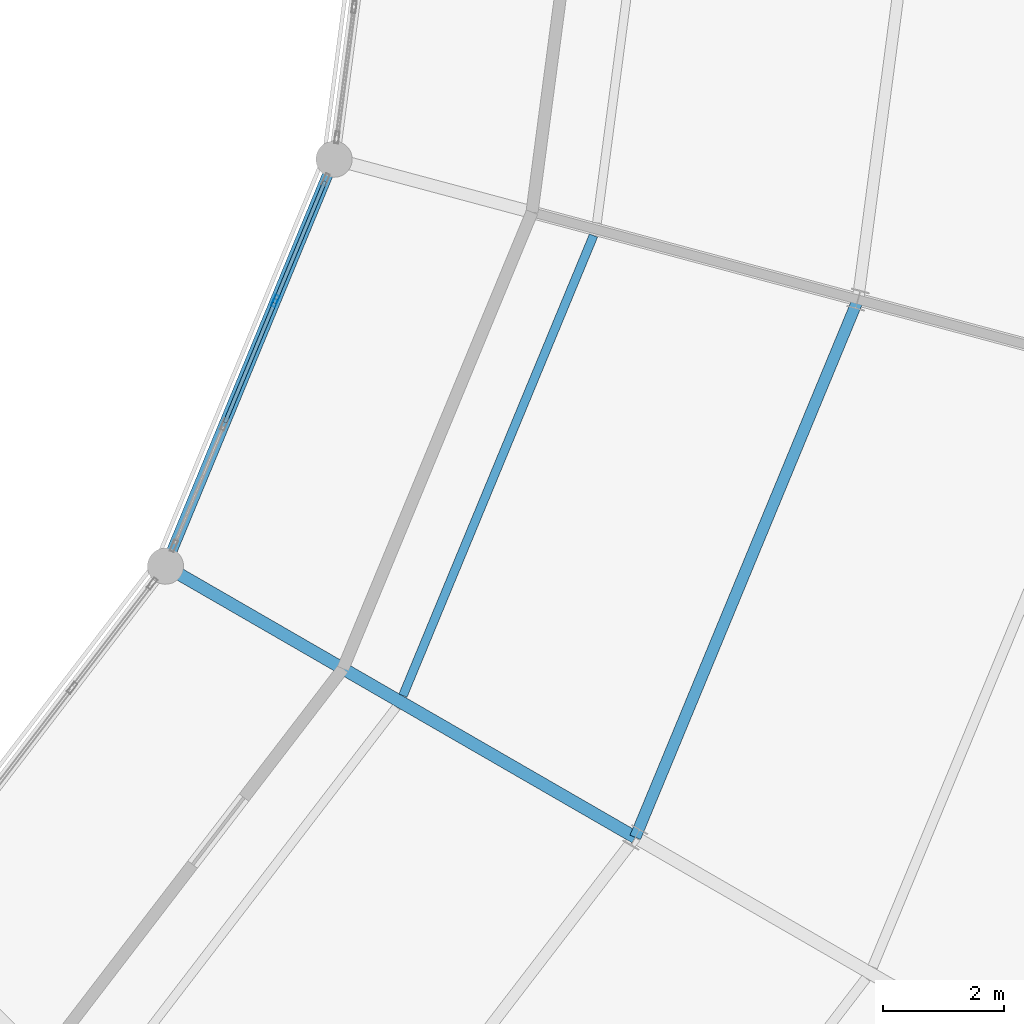
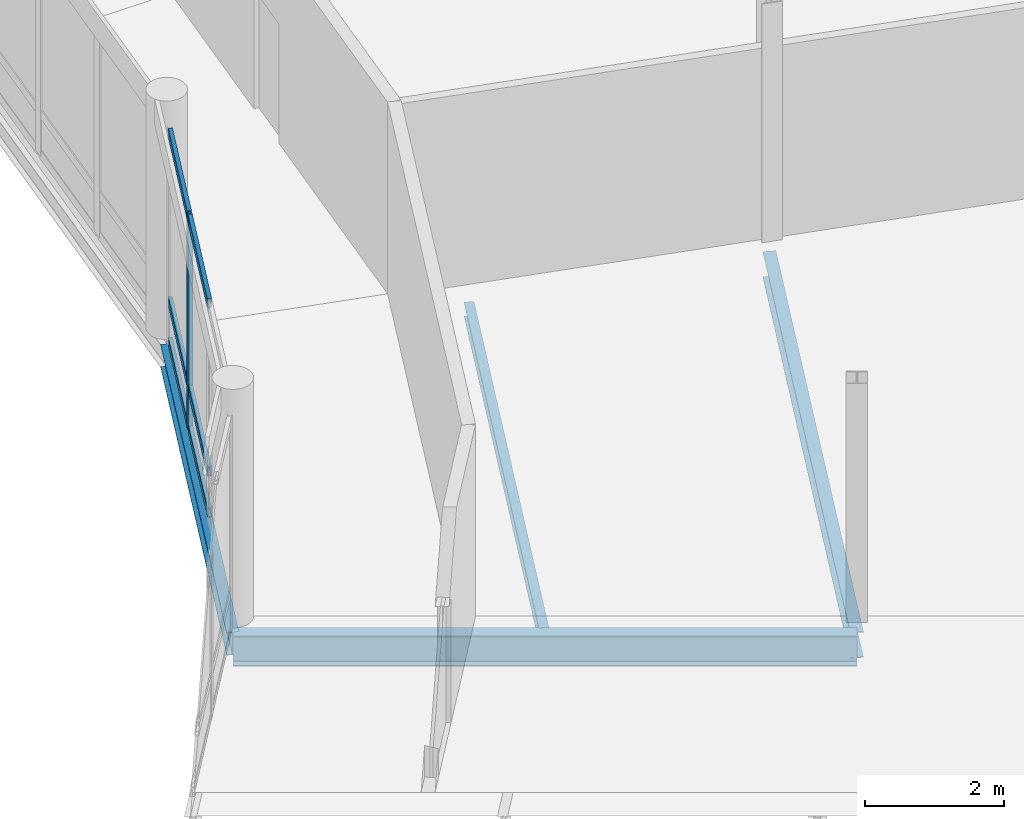
# One storey, part 98 of 170: 7 members, 4 beams, 1 element without a shape of its own.
"""IFC4 building model written with IfcOpenShell, lengths in metres."""

from ifc_helpers import new_model, si_unit, direction, frame, origin, origin_2d, place, context, subcontext, project, spatial, hollow_rectangle, i_section, extrude, material, material_profile, profile_set, type_object, element, aggregate, save


model = new_model("IFC4")

# Units and contexts
model_context = context("Model", 3, precision=1e-05, world=origin(), true_north=direction((0.0, 1.0)))
body_context = subcontext(model_context, "Body", "Model", "MODEL_VIEW")
ifc_project = project(units=[si_unit("LENGTHUNIT", "METRE"), si_unit("AREAUNIT", "SQUARE_METRE"), si_unit("VOLUMEUNIT", "CUBIC_METRE"), si_unit("PLANEANGLEUNIT", "RADIAN"), si_unit("MASSUNIT", "GRAM", prefix="KILO")], contexts=[model_context])

# Site, building, storey
site_placement = place(None, origin())
site = spatial("IfcSite", under=ifc_project, at=site_placement, CompositionType="ELEMENT")
building_placement = place(site_placement, origin())
building = spatial("IfcBuilding", under=site, at=building_placement, Name="Vondelvale Polytechnic", CompositionType="ELEMENT")
storey_placement = place(building_placement, frame((0.0, 0.0, 5.39990234375)))
storey = spatial("IfcBuildingStorey", under=building, at=storey_placement, Name="L01", CompositionType="ELEMENT", Elevation=5.39990234375)

# Beams
ifc_material_1 = material(Name="Steel 300PLUS (fy = 300 MPa)", Category="steel")
ifc_material_profile_1 = material_profile(ifc_material_1, i_section(OverallWidth=0.177978515625, OverallDepth=0.406005859375, WebThickness=0.0078125, FlangeThickness=0.0126953125, FilletRadius=0.011474609375, at=origin_2d()), Name="410UB59.7")
ifc_profile_set_1 = profile_set([ifc_material_profile_1], Name="Steel 300PLUS (fy = 300 MPa)")
beam_type_1 = type_object("IfcBeamType", Name="BM-UB410", PredefinedType="BEAM", material=ifc_profile_set_1)
beam_1_placement = place(storey_placement, frame((126.248779296875, 58.0, -0.48291015625), z_axis=(0.382667428841, 0.923886161226, 0.0), x_axis=(-0.923886161226, 0.382667428841, 0.0)))
element("IfcBeam", 1, at=beam_1_placement, inside=storey, type_object=beam_type_1, Name="L01 RB B-14", PredefinedType="BEAM", context=body_context, shape_type="SweptSolid", body=[
    extrude(i_section(OverallWidth=0.177978515625, OverallDepth=0.406005859375, WebThickness=0.0078125, FlangeThickness=0.0126953125, FilletRadius=0.011474609375, at=origin_2d()), origin(), (0.0, 0.0, 1.0), 7.3095703125),
])
ifc_material_profile_2 = material_profile(ifc_material_1, i_section(OverallWidth=0.19091796875, OverallDepth=0.4599609375, WebThickness=0.010009765625, FlangeThickness=0.01611328125, FilletRadius=0.011474609375, at=origin_2d()), Name="460UB82.1")
ifc_profile_set_2 = profile_set([ifc_material_profile_2], Name="Steel 300PLUS (fy = 300 MPa)")
beam_type_2 = type_object("IfcBeamType", Name="BM-UB460H", PredefinedType="BEAM", material=ifc_profile_set_2)
beam_2_placement = place(storey_placement, frame((134.04296875, 53.5, -0.510009765625), z_axis=(0.38268516011, 0.923878816854, 0.0), x_axis=(-0.923878816854, 0.38268516011, 0.0)))
element("IfcBeam", 2, at=beam_2_placement, inside=storey, type_object=beam_type_2, Name="L01 RB B-12", PredefinedType="BEAM", context=body_context, shape_type="SweptSolid", body=[
    extrude(i_section(OverallWidth=0.19091796875, OverallDepth=0.4599609375, WebThickness=0.010009765625, FlangeThickness=0.01611328125, FilletRadius=0.011474609375, at=origin_2d()), origin(), (0.0, 0.0, 1.0), 9.658935546875),
])
ifc_material_profile_3 = material_profile(ifc_material_1, i_section(OverallWidth=0.208984375, OverallDepth=0.532958984375, WebThickness=0.01025390625, FlangeThickness=0.015625, FilletRadius=0.013916015625, at=origin_2d()), Name="530UB92.4")
ifc_profile_set_3 = profile_set([ifc_material_profile_3], Name="Steel 300PLUS (fy = 300 MPa)")
beam_type_3 = type_object("IfcBeamType", Name="BM-UB530", PredefinedType="BEAM", material=ifc_profile_set_3)
beam_3_placement = place(storey_placement, frame((126.248779296875, 58.0, -0.54638671875), z_axis=(0.866024315419, -0.5000018851, 0.0), x_axis=(0.5000018851, 0.866024315419, 0.0)))
element("IfcBeam", 3, at=beam_3_placement, inside=storey, type_object=beam_type_3, Name="L01 RG B-11", PredefinedType="BEAM", context=body_context, shape_type="SweptSolid", body=[
    extrude(i_section(OverallWidth=0.208984375, OverallDepth=0.532958984375, WebThickness=0.01025390625, FlangeThickness=0.015625, FilletRadius=0.013916015625, at=origin_2d()), origin(), (0.0, 0.0, 1.0), 9.0),
])

# Curtain wall, members
ifc_material_2 = material(Name="Anodised extruded aluminium 6063-T6", Category="aluminium")
curtain_wall_type = type_object("IfcCurtainWallType", Name="CW-RING-CLOISTER", PredefinedType="NOTDEFINED", material=ifc_material_2)
curtain_wall_placement = place(storey_placement, origin())
curtain_wall = element("IfcCurtainWall", 4, at=curtain_wall_placement, inside=storey, type_object=curtain_wall_type, Name="L01 architectural curtain wall CW-03-362", PredefinedType="NOTDEFINED")
ifc_material_profile_4 = material_profile(ifc_material_2, hollow_rectangle(XDim=0.070068359375, YDim=0.199951171875, WallThickness=0.00390625, at=origin_2d()), Name="CW-MUL-200x70")
ifc_profile_set_4 = profile_set([ifc_material_profile_4], Name="Anodised extruded aluminium 6063-T6")
member_type_1 = type_object("IfcMemberType", Name="CW-MUL-70x200", PredefinedType="MULLION", material=ifc_profile_set_4)
member_1_placement = place(storey_placement, frame((128.0712890625, 62.400390625, 0.0), z_axis=(0.0, 0.0, 1.0), x_axis=(-0.923881562419, 0.382678531697, 0.0)))
member_1 = element("IfcMember", 5, at=member_1_placement, type_object=member_type_1, Name="CW-03-362 mullion 3", PredefinedType="MULLION", context=body_context, shape_type="SweptSolid", body=[
    extrude(hollow_rectangle(XDim=0.070068359375, YDim=0.199951171875, WallThickness=0.00390625, at=origin_2d()), origin(), (0.0, 0.0, 1.0), 3.75),
])
ifc_material_profile_5 = material_profile(ifc_material_2, hollow_rectangle(XDim=0.06494140625, YDim=0.159912109375, WallThickness=0.00341796875, at=origin_2d()), Name="CW-TRN-160x65")
ifc_profile_set_5 = profile_set([ifc_material_profile_5], Name="Anodised extruded aluminium 6063-T6")
member_type_2 = type_object("IfcMemberType", Name="CW-TRN-70x160", PredefinedType="USERDEFINED", material=ifc_profile_set_5)
member_2_placement = place(storey_placement, frame((127.236572265625, 60.385009765625, 0.03271484375), z_axis=(0.382716752649, 0.923865730094, 0.0), x_axis=(-0.923865730094, 0.382716752649, 0.0)))
member_2 = element("IfcMember", 6, at=member_2_placement, type_object=member_type_2, Name="CW-03-362 transom 2.1", ObjectType="TRANSOM", PredefinedType="USERDEFINED", context=body_context, shape_type="SweptSolid", body=[
    extrude(hollow_rectangle(XDim=0.06494140625, YDim=0.159912109375, WallThickness=0.00341796875, at=origin_2d()), origin(), (0.0, 0.0, 1.0), 2.146484375),
])
member_3_placement = place(storey_placement, frame((127.236572265625, 60.385009765625, 0.75), z_axis=(0.382716752649, 0.923865730094, 0.0), x_axis=(-0.923865730094, 0.382716752649, 0.0)))
member_3 = element("IfcMember", 7, at=member_3_placement, type_object=member_type_2, Name="CW-03-362 transom 2.2", ObjectType="TRANSOM", PredefinedType="USERDEFINED", context=body_context, shape_type="SweptSolid", body=[
    extrude(hollow_rectangle(XDim=0.06494140625, YDim=0.159912109375, WallThickness=0.00341796875, at=origin_2d()), origin(), (0.0, 0.0, 1.0), 2.146484375),
])
member_4_placement = place(storey_placement, frame((127.236572265625, 60.385009765625, 3.717529296875), z_axis=(0.382716752649, 0.923865730094, 0.0), x_axis=(-0.923865730094, 0.382716752649, 0.0)))
member_4 = element("IfcMember", 8, at=member_4_placement, type_object=member_type_2, Name="CW-03-362 transom 2.3", ObjectType="TRANSOM", PredefinedType="USERDEFINED", context=body_context, shape_type="SweptSolid", body=[
    extrude(hollow_rectangle(XDim=0.06494140625, YDim=0.159912109375, WallThickness=0.00341796875, at=origin_2d()), origin(), (0.0, 0.0, 1.0), 2.146484375),
])
member_5_placement = place(storey_placement, frame((128.084716796875, 62.432861328125, 0.03271484375), z_axis=(0.382726229306, 0.923861804277, 0.0), x_axis=(-0.923861804277, 0.382726229306, 0.0)))
member_5 = element("IfcMember", 9, at=member_5_placement, type_object=member_type_2, Name="CW-03-362 transom 3.1", ObjectType="TRANSOM", PredefinedType="USERDEFINED", context=body_context, shape_type="SweptSolid", body=[
    extrude(hollow_rectangle(XDim=0.06494140625, YDim=0.159912109375, WallThickness=0.00341796875, at=origin_2d()), origin(), (0.0, 0.0, 1.0), 2.111328125),
])
member_6_placement = place(storey_placement, frame((128.084716796875, 62.432861328125, 0.75), z_axis=(0.382726229306, 0.923861804277, 0.0), x_axis=(-0.923861804277, 0.382726229306, 0.0)))
member_6 = element("IfcMember", 10, at=member_6_placement, type_object=member_type_2, Name="CW-03-362 transom 3.2", ObjectType="TRANSOM", PredefinedType="USERDEFINED", context=body_context, shape_type="SweptSolid", body=[
    extrude(hollow_rectangle(XDim=0.06494140625, YDim=0.159912109375, WallThickness=0.00341796875, at=origin_2d()), origin(), (0.0, 0.0, 1.0), 2.111328125),
])
member_7_placement = place(storey_placement, frame((128.084716796875, 62.432861328125, 3.717529296875), z_axis=(0.382726229306, 0.923861804277, 0.0), x_axis=(-0.923861804277, 0.382726229306, 0.0)))
member_7 = element("IfcMember", 11, at=member_7_placement, type_object=member_type_2, Name="CW-03-362 transom 3.3", ObjectType="TRANSOM", PredefinedType="USERDEFINED", context=body_context, shape_type="SweptSolid", body=[
    extrude(hollow_rectangle(XDim=0.06494140625, YDim=0.159912109375, WallThickness=0.00341796875, at=origin_2d()), origin(), (0.0, 0.0, 1.0), 2.111328125),
])
aggregate(curtain_wall, [member_1, member_2, member_3, member_4, member_5, member_6, member_7])

# Beam
ifc_material_profile_6 = material_profile(ifc_material_1, i_section(OverallWidth=0.14599609375, OverallDepth=0.256103515625, WebThickness=0.00634765625, FlangeThickness=0.010986328125, FilletRadius=0.0087890625, at=origin_2d()), Name="250UB37.3")
ifc_profile_set_6 = profile_set([ifc_material_profile_6], Name="Steel 300PLUS (fy = 300 MPa)")
beam_type_4 = type_object("IfcBeamType", Name="JST-UB250", PredefinedType="JOIST", material=ifc_profile_set_6)
beam_4_placement = place(storey_placement, frame((130.18798828125, 55.8515625, -0.407958984375), z_axis=(0.38268053388, 0.923880733098, 0.0), x_axis=(-0.923880733098, 0.38268053388, 0.0)))
element("IfcBeam", 12, at=beam_4_placement, inside=storey, type_object=beam_type_4, Name="L01 RJ J-06", PredefinedType="JOIST", context=body_context, shape_type="SweptSolid", body=[
    extrude(i_section(OverallWidth=0.14599609375, OverallDepth=0.256103515625, WebThickness=0.00634765625, FlangeThickness=0.010986328125, FilletRadius=0.0087890625, at=origin_2d()), origin(), (0.0, 0.0, 1.0), 8.264404296875),
])

save(model, "model.ifc")
